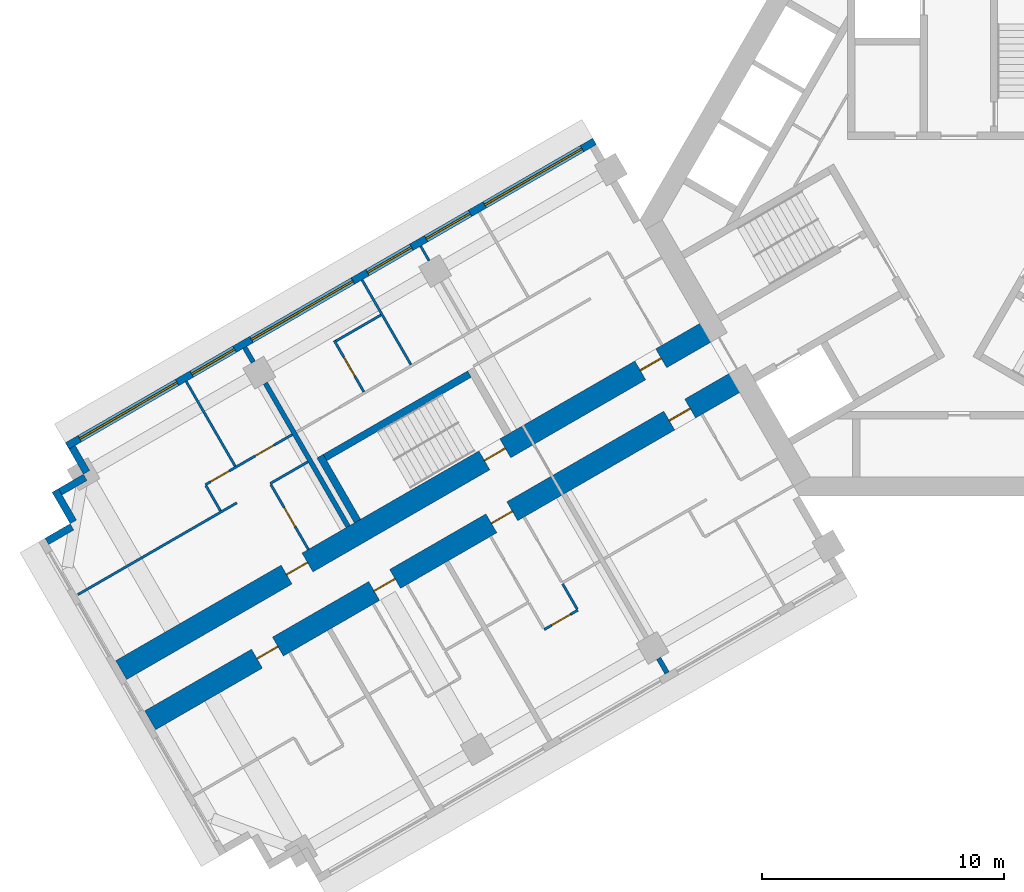
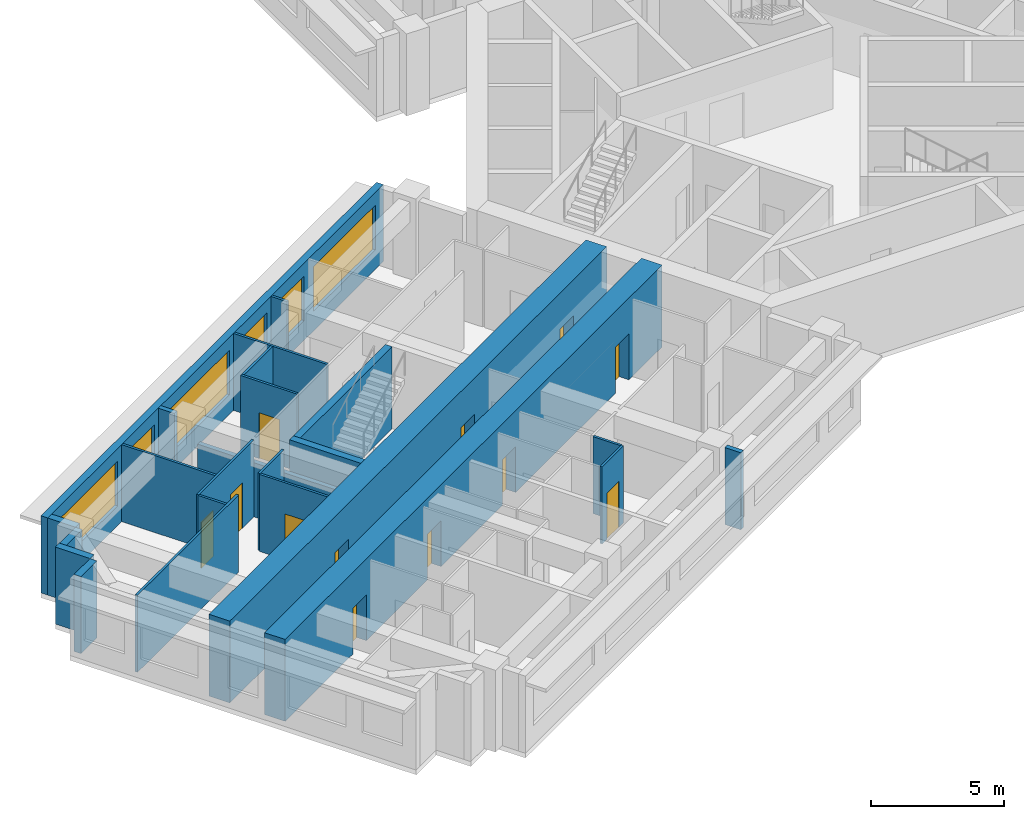
# One storey, part 3 of 13: 24 walls, 12 doors, 6 windows, 18 openings.
"""IFC4 building model written with IfcOpenShell, lengths in metres."""

from ifc_helpers import new_model, si_unit, direction, frame, frame_2d, origin, place, context, subcontext, project, spatial, rectangle, extrude, material, layer, layer_set, type_object, element, fill, save


model = new_model("IFC4")

# Units and contexts
model_context = context("Model", 3, precision=1e-05, world=origin(), true_north=direction((0.0, 1.0)))
body_context = subcontext(model_context, "Body", "Model", "MODEL_VIEW")
ifc_project = project(units=[si_unit("LENGTHUNIT", "METRE"), si_unit("AREAUNIT", "SQUARE_METRE"), si_unit("VOLUMEUNIT", "CUBIC_METRE"), si_unit("PLANEANGLEUNIT", "RADIAN"), si_unit("MASSUNIT", "GRAM", prefix="KILO")], contexts=[model_context])

# Site, building, storey
site_placement = place(None, origin())
site = spatial("IfcSite", under=ifc_project, at=site_placement, CompositionType="ELEMENT")
building_placement = place(site_placement, origin())
building = spatial("IfcBuilding", under=site, at=building_placement, Name="Impinga Residences", CompositionType="ELEMENT")
storey_placement = place(building_placement, frame((0.0, 0.0, 136.0)))
storey = spatial("IfcBuildingStorey", under=building, at=storey_placement, Name="L33", CompositionType="ELEMENT", Elevation=136.0)

# Wall, openings, doors
ifc_material_1 = material(Name="Concrete C60/75", Category="concrete")
ifc_layer_1 = layer(ifc_material_1, 0.89990234375)
ifc_layer_set_1 = layer_set([ifc_layer_1], Name="Concrete C60/75")
wall_type_1 = type_object("IfcWallType", Name="BW2 corridor buttress wall, L24 to L44 900", PredefinedType="SHEAR", material=ifc_layer_set_1)
wall_1_placement = place(storey_placement, frame((-8.95361328125, -6.554931640625, 0.0), z_axis=(0.0, 0.0, 1.0), x_axis=(-0.866023392092, -0.500003484338, 0.0)))
wall_1 = element("IfcWall", 1, at=wall_1_placement, inside=storey, type_object=wall_type_1, Name="Corridor wall BW2 WC L33", PredefinedType="SHEAR", context=body_context, shape_type="SweptSolid", body=[
    extrude(rectangle(XDim=28.300048828125, YDim=0.89990234375, at=frame_2d((14.14990234375, 0.0))), origin(), (0.0, 0.0, 1.0), 3.75),
])
opening_1_placement = place(wall_1_placement, frame((2.5, 0.0, 0.0)))
opening_1 = element("IfcOpeningElement", 2, at=opening_1_placement, cuts=wall_1, Name="Opening D1", PredefinedType="OPENING", context=body_context, shape_type="SweptSolid", body=[
    extrude(rectangle(XDim=1.0, YDim=2.10009765625, at=frame_2d((0.5, 1.050048828125))), frame((0.0, 0.4599609375, 0.0), z_axis=(0.0, -1.0, 0.0), x_axis=(1.0, 0.0, 0.0)), (0.0, 0.0, 1.0), 0.919921875),
])
opening_2_placement = place(wall_1_placement, frame((11.0, 0.0, 0.0)))
opening_2 = element("IfcOpeningElement", 3, at=opening_2_placement, cuts=wall_1, Name="Opening D1", PredefinedType="OPENING", context=body_context, shape_type="SweptSolid", body=[
    extrude(rectangle(XDim=1.0, YDim=2.10009765625, at=frame_2d((0.5, 1.050048828125))), frame((0.0, 0.4599609375, 0.0), z_axis=(0.0, -1.0, 0.0), x_axis=(1.0, 0.0, 0.0)), (0.0, 0.0, 1.0), 0.919921875),
])
opening_3_placement = place(wall_1_placement, frame((16.60009765625, 0.0, 0.0)))
opening_3 = element("IfcOpeningElement", 4, at=opening_3_placement, cuts=wall_1, Name="Opening D1", PredefinedType="OPENING", context=body_context, shape_type="SweptSolid", body=[
    extrude(rectangle(XDim=1.0, YDim=2.10009765625, at=frame_2d((0.5, 1.050048828125))), frame((0.0, 0.4599609375, 0.0), z_axis=(0.0, -1.0, 0.0), x_axis=(1.0, 0.0, 0.0)), (0.0, 0.0, 1.0), 0.919921875),
])
opening_4_placement = place(wall_1_placement, frame((22.199951171875, 0.0, 0.0)))
opening_4 = element("IfcOpeningElement", 5, at=opening_4_placement, cuts=wall_1, Name="Opening D1", PredefinedType="OPENING", context=body_context, shape_type="SweptSolid", body=[
    extrude(rectangle(XDim=1.0, YDim=2.10009765625, at=frame_2d((0.5, 1.050048828125))), frame((0.0, 0.4599609375, 0.0), z_axis=(0.0, -1.0, 0.0), x_axis=(1.0, 0.0, 0.0)), (0.0, 0.0, 1.0), 0.919921875),
])
ifc_material_2 = material(Name="Timber door set", Category="wood")
door_type_1 = type_object("IfcDoorType", Name="D1 apartment entrance door 1000x2100", OperationType="SINGLE_SWING_LEFT", PredefinedType="DOOR", material=ifc_material_2)
door_1_placement = place(opening_1_placement, origin())
door_1 = element("IfcDoor", 6, at=door_1_placement, inside=storey, type_object=door_type_1, Name="Apartment L33-WA1 entrance", OperationType="SINGLE_SWING_LEFT", OverallHeight=2.10009765625, OverallWidth=1.0, PredefinedType="DOOR", context=body_context, shape_type="SweptSolid", body=[
    extrude(rectangle(XDim=1.0, YDim=2.10009765625, at=frame_2d((0.5, 1.050048828125))), frame((0.0, 0.02490234375, 0.0), z_axis=(0.0, -1.0, 0.0), x_axis=(1.0, 0.0, 0.0)), (0.0, 0.0, 1.0), 0.050048828125),
])
fill(opening_1, door_1)
door_2_placement = place(opening_2_placement, origin())
door_2 = element("IfcDoor", 7, at=door_2_placement, inside=storey, type_object=door_type_1, Name="Apartment L33-WA2 entrance", OperationType="SINGLE_SWING_LEFT", OverallHeight=2.10009765625, OverallWidth=1.0, PredefinedType="DOOR", context=body_context, shape_type="SweptSolid", body=[
    extrude(rectangle(XDim=1.0, YDim=2.10009765625, at=frame_2d((0.5, 1.050048828125))), frame((0.0, 0.02490234375, 0.0), z_axis=(0.0, -1.0, 0.0), x_axis=(1.0, 0.0, 0.0)), (0.0, 0.0, 1.0), 0.050048828125),
])
fill(opening_2, door_2)
door_3_placement = place(opening_3_placement, origin())
door_3 = element("IfcDoor", 8, at=door_3_placement, inside=storey, type_object=door_type_1, Name="Apartment L33-WA3 entrance", OperationType="SINGLE_SWING_RIGHT", OverallHeight=2.10009765625, OverallWidth=1.0, PredefinedType="DOOR", context=body_context, shape_type="SweptSolid", body=[
    extrude(rectangle(XDim=1.0, YDim=2.10009765625, at=frame_2d((0.5, 1.050048828125))), frame((0.0, 0.02490234375, 0.0), z_axis=(0.0, -1.0, 0.0), x_axis=(1.0, 0.0, 0.0)), (0.0, 0.0, 1.0), 0.050048828125),
])
fill(opening_3, door_3)
door_4_placement = place(opening_4_placement, origin())
door_4 = element("IfcDoor", 9, at=door_4_placement, inside=storey, type_object=door_type_1, Name="Apartment L33-WA4 entrance", OperationType="SINGLE_SWING_RIGHT", OverallHeight=2.10009765625, OverallWidth=1.0, PredefinedType="DOOR", context=body_context, shape_type="SweptSolid", body=[
    extrude(rectangle(XDim=1.0, YDim=2.10009765625, at=frame_2d((0.5, 1.050048828125))), frame((0.0, 0.02490234375, 0.0), z_axis=(0.0, -1.0, 0.0), x_axis=(1.0, 0.0, 0.0)), (0.0, 0.0, 1.0), 0.050048828125),
])
fill(opening_4, door_4)

wall_2_placement = place(storey_placement, frame((-10.153564453125, -4.4765625, 0.0), z_axis=(0.0, 0.0, 1.0), x_axis=(-0.866027127636, -0.49999701419, 0.0)))
wall_2 = element("IfcWall", 10, at=wall_2_placement, inside=storey, type_object=wall_type_1, Name="Corridor wall BW2 WD L33", PredefinedType="SHEAR", context=body_context, shape_type="SweptSolid", body=[
    extrude(rectangle(XDim=28.300048828125, YDim=0.89990234375, at=frame_2d((14.14990234375, 0.0))), origin(), (0.0, 0.0, 1.0), 3.75),
])
opening_5_placement = place(wall_2_placement, frame((9.949951171875, 0.0, 0.0)))
opening_5 = element("IfcOpeningElement", 11, at=opening_5_placement, cuts=wall_2, Name="Opening D5", PredefinedType="OPENING", context=body_context, shape_type="SweptSolid", body=[
    extrude(rectangle(XDim=1.0, YDim=2.10009765625, at=frame_2d((0.5, 1.050048828125))), frame((0.0, 0.4599609375, 0.0), z_axis=(0.0, -1.0, 0.0), x_axis=(1.0, 0.0, 0.0)), (0.0, 0.0, 1.0), 0.919921875),
])
opening_6_placement = place(wall_2_placement, frame((2.5, 0.0, 0.0)))
opening_6 = element("IfcOpeningElement", 12, at=opening_6_placement, cuts=wall_2, Name="Opening D1", PredefinedType="OPENING", context=body_context, shape_type="SweptSolid", body=[
    extrude(rectangle(XDim=1.0, YDim=2.10009765625, at=frame_2d((0.5, 1.050048828125))), frame((0.0, 0.4599609375, 0.0), z_axis=(0.0, -1.0, 0.0), x_axis=(1.0, 0.0, 0.0)), (0.0, 0.0, 1.0), 0.919921875),
])
opening_7_placement = place(wall_2_placement, frame((19.39990234375, 0.0, 0.0)))
opening_7 = element("IfcOpeningElement", 13, at=opening_7_placement, cuts=wall_2, Name="Opening D1", PredefinedType="OPENING", context=body_context, shape_type="SweptSolid", body=[
    extrude(rectangle(XDim=1.0, YDim=2.10009765625, at=frame_2d((0.5, 1.050048828125))), frame((0.0, 0.4599609375, 0.0), z_axis=(0.0, -1.0, 0.0), x_axis=(1.0, 0.0, 0.0)), (0.0, 0.0, 1.0), 0.919921875),
])
door_5_placement = place(opening_6_placement, origin())
door_5 = element("IfcDoor", 14, at=door_5_placement, inside=storey, type_object=door_type_1, Name="Apartment L33-WF1 entrance", OperationType="SINGLE_SWING_LEFT", OverallHeight=2.10009765625, OverallWidth=1.0, PredefinedType="DOOR", context=body_context, shape_type="SweptSolid", body=[
    extrude(rectangle(XDim=1.0, YDim=2.10009765625, at=frame_2d((0.5, 1.050048828125))), frame((0.0, 0.02490234375, 0.0), z_axis=(0.0, -1.0, 0.0), x_axis=(1.0, 0.0, 0.0)), (0.0, 0.0, 1.0), 0.050048828125),
])
fill(opening_6, door_5)
door_6_placement = place(opening_7_placement, origin())
door_6 = element("IfcDoor", 15, at=door_6_placement, inside=storey, type_object=door_type_1, Name="Apartment L33-WF2 entrance", OperationType="SINGLE_SWING_RIGHT", OverallHeight=2.10009765625, OverallWidth=1.0, PredefinedType="DOOR", context=body_context, shape_type="SweptSolid", body=[
    extrude(rectangle(XDim=1.0, YDim=2.10009765625, at=frame_2d((0.5, 1.050048828125))), frame((0.0, 0.02490234375, 0.0), z_axis=(0.0, -1.0, 0.0), x_axis=(1.0, 0.0, 0.0)), (0.0, 0.0, 1.0), 0.050048828125),
])
fill(opening_7, door_6)
door_type_2 = type_object("IfcDoorType", Name="D5 stair door 1000x2100", OperationType="SINGLE_SWING_LEFT", PredefinedType="DOOR", material=ifc_material_2)
door_7_placement = place(opening_5_placement, origin())
door_7 = element("IfcDoor", 16, at=door_7_placement, inside=storey, type_object=door_type_2, Name="Wing stair door W", OperationType="SINGLE_SWING_LEFT", OverallHeight=2.10009765625, OverallWidth=1.0, PredefinedType="DOOR", context=body_context, shape_type="SweptSolid", body=[
    extrude(rectangle(XDim=1.0, YDim=2.10009765625, at=frame_2d((0.5, 1.050048828125))), frame((0.0, 0.02490234375, 0.0), z_axis=(0.0, -1.0, 0.0), x_axis=(1.0, 0.0, 0.0)), (0.0, 0.0, 1.0), 0.050048828125),
])
fill(opening_5, door_7)

# Walls
ifc_material_3 = material(Name="Terracotta rainscreen on blockwork", Category="masonry")
ifc_layer_2 = layer(ifc_material_3, 0.300048828125)
ifc_layer_set_2 = layer_set([ifc_layer_2], Name="EW1 external wall, terracotta rainscreen on blockwork 300")
wall_type_2 = type_object("IfcWallType", Name="EW1 external wall, terracotta rainscreen on blockwork 300", PredefinedType="SOLIDWALL", material=ifc_layer_set_2)
wall_3_placement = place(storey_placement, frame((-37.737060546875, -13.300537109375, 0.0), z_axis=(0.0, 0.0, 1.0), x_axis=(0.865971243484, 0.500093796661, 0.0)))
element("IfcWall", 17, at=wall_3_placement, inside=storey, type_object=wall_type_2, Name="External wall EW1 L33", PredefinedType="SOLIDWALL", context=body_context, shape_type="SweptSolid", body=[
    extrude(rectangle(XDim=1.195068359375, YDim=0.300048828125, at=frame_2d((0.59765625, 0.0))), origin(), (0.0, 0.0, 1.0), 3.530029296875),
])
wall_4_placement = place(storey_placement, frame((-36.64306640625, -12.49560546875, 0.0), z_axis=(0.0, 0.0, 1.0), x_axis=(-0.499990139034, 0.866031096941, 0.0)))
element("IfcWall", 18, at=wall_4_placement, inside=storey, type_object=wall_type_2, Name="External wall EW1 L33", PredefinedType="SOLIDWALL", context=body_context, shape_type="SweptSolid", body=[
    extrude(rectangle(XDim=1.5, YDim=0.300048828125, at=frame_2d((0.75, 0.0))), origin(), (0.0, 0.0, 1.0), 3.530029296875),
])
wall_5_placement = place(storey_placement, frame((-37.18798828125, -11.25146484375, 0.0), z_axis=(0.0, 0.0, 1.0), x_axis=(0.866059708757, 0.499940577336, 0.0)))
element("IfcWall", 19, at=wall_5_placement, inside=storey, type_object=wall_type_2, Name="External wall EW1 L33", PredefinedType="SOLIDWALL", context=body_context, shape_type="SweptSolid", body=[
    extrude(rectangle(XDim=1.195068359375, YDim=0.300048828125, at=frame_2d((0.59765625, 0.0))), origin(), (0.0, 0.0, 1.0), 3.530029296875),
])
wall_6_placement = place(storey_placement, frame((-36.093994140625, -10.446533203125, 0.0), z_axis=(0.0, 0.0, 1.0), x_axis=(-0.499880961361, 0.866094119867, 0.0)))
element("IfcWall", 20, at=wall_6_placement, inside=storey, type_object=wall_type_2, Name="External wall EW1 L33", PredefinedType="SOLIDWALL", context=body_context, shape_type="SweptSolid", body=[
    extrude(rectangle(XDim=1.199951171875, YDim=0.300048828125, at=frame_2d((0.60009765625, 0.0))), origin(), (0.0, 0.0, 1.0), 3.530029296875),
])

# Wall, openings, windows
wall_7_placement = place(storey_placement, frame((-36.89892578125, -9.352294921875, 0.0), z_axis=(0.0, 0.0, 1.0), x_axis=(0.86602925447, 0.499993330357, 0.0)))
wall_7 = element("IfcWall", 21, at=wall_7_placement, inside=storey, type_object=wall_type_2, Name="External wall EW1 L33", PredefinedType="SOLIDWALL", context=body_context, shape_type="SweptSolid", body=[
    extrude(rectangle(XDim=25.199951171875, YDim=0.300048828125, at=frame_2d((12.60009765625, 0.0))), origin(), (0.0, 0.0, 1.0), 3.530029296875),
])
opening_8_placement = place(wall_7_placement, frame((0.60009765625, 0.0, 0.89990234375)))
opening_8 = element("IfcOpeningElement", 22, at=opening_8_placement, cuts=wall_7, Name="Opening W10", PredefinedType="OPENING", context=body_context, shape_type="SweptSolid", body=[
    extrude(rectangle(XDim=4.64990234375, YDim=2.050048828125, at=frame_2d((2.324951171875, 1.02490234375))), frame((0.0, 0.159912109375, 0.0), z_axis=(0.0, -1.0, 0.0), x_axis=(1.0, 0.0, 0.0)), (0.0, 0.0, 1.0), 0.320068359375),
])
opening_9_placement = place(wall_7_placement, frame((5.949951171875, 0.0, 0.89990234375)))
opening_9 = element("IfcOpeningElement", 23, at=opening_9_placement, cuts=wall_7, Name="Opening W14", PredefinedType="OPENING", context=body_context, shape_type="SweptSolid", body=[
    extrude(rectangle(XDim=2.050048828125, YDim=2.050048828125, at=frame_2d((1.02490234375, 1.02490234375))), frame((0.0, 0.159912109375, 0.0), z_axis=(0.0, -1.0, 0.0), x_axis=(1.0, 0.0, 0.0)), (0.0, 0.0, 1.0), 0.320068359375),
])
opening_10_placement = place(wall_7_placement, frame((8.800048828125, 0.0, 0.89990234375)))
opening_10 = element("IfcOpeningElement", 24, at=opening_10_placement, cuts=wall_7, Name="Opening W6", PredefinedType="OPENING", context=body_context, shape_type="SweptSolid", body=[
    extrude(rectangle(XDim=4.85009765625, YDim=2.050048828125, at=frame_2d((2.425048828125, 1.02490234375))), frame((0.0, 0.159912109375, 0.0), z_axis=(0.0, -1.0, 0.0), x_axis=(1.0, 0.0, 0.0)), (0.0, 0.0, 1.0), 0.320068359375),
])
opening_11_placement = place(wall_7_placement, frame((14.35009765625, 0.0, 0.89990234375)))
opening_11 = element("IfcOpeningElement", 25, at=opening_11_placement, cuts=wall_7, Name="Opening W9", PredefinedType="OPENING", context=body_context, shape_type="SweptSolid", body=[
    extrude(rectangle(XDim=2.10009765625, YDim=2.050048828125, at=frame_2d((1.050048828125, 1.02490234375))), frame((0.0, 0.159912109375, 0.0), z_axis=(0.0, -1.0, 0.0), x_axis=(1.0, 0.0, 0.0)), (0.0, 0.0, 1.0), 0.320068359375),
])
opening_12_placement = place(wall_7_placement, frame((17.14990234375, 0.0, 0.89990234375)))
opening_12 = element("IfcOpeningElement", 26, at=opening_12_placement, cuts=wall_7, Name="Opening W9", PredefinedType="OPENING", context=body_context, shape_type="SweptSolid", body=[
    extrude(rectangle(XDim=2.10009765625, YDim=2.050048828125, at=frame_2d((1.050048828125, 1.02490234375))), frame((0.0, 0.159912109375, 0.0), z_axis=(0.0, -1.0, 0.0), x_axis=(1.0, 0.0, 0.0)), (0.0, 0.0, 1.0), 0.320068359375),
])
opening_13_placement = place(wall_7_placement, frame((19.949951171875, 0.0, 0.89990234375)))
opening_13 = element("IfcOpeningElement", 27, at=opening_13_placement, cuts=wall_7, Name="Opening W10", PredefinedType="OPENING", context=body_context, shape_type="SweptSolid", body=[
    extrude(rectangle(XDim=4.64990234375, YDim=2.050048828125, at=frame_2d((2.324951171875, 1.02490234375))), frame((0.0, 0.159912109375, 0.0), z_axis=(0.0, -1.0, 0.0), x_axis=(1.0, 0.0, 0.0)), (0.0, 0.0, 1.0), 0.320068359375),
])
ifc_material_4 = material(Name="Aluminium window, clear double glazing", Category="aluminium")
window_type_1 = type_object("IfcWindowType", Name="W10 ribbon window 4650x2050", PartitioningType="SINGLE_PANEL", PredefinedType="WINDOW", material=ifc_material_4)
window_1_placement = place(opening_8_placement, origin())
window_1 = element("IfcWindow", 28, at=window_1_placement, inside=storey, type_object=window_type_1, Name="Window L33", OverallHeight=2.050048828125, OverallWidth=4.64990234375, PartitioningType="SINGLE_PANEL", PredefinedType="WINDOW", context=body_context, shape_type="SweptSolid", body=[
    extrude(rectangle(XDim=4.64990234375, YDim=2.050048828125, at=frame_2d((2.324951171875, 1.02490234375))), frame((0.0, 0.030029296875, 0.0), z_axis=(0.0, -1.0, 0.0), x_axis=(1.0, 0.0, 0.0)), (0.0, 0.0, 1.0), 0.06005859375),
])
fill(opening_8, window_1)
window_2_placement = place(opening_13_placement, origin())
window_2 = element("IfcWindow", 29, at=window_2_placement, inside=storey, type_object=window_type_1, Name="Window L33", OverallHeight=2.050048828125, OverallWidth=4.64990234375, PartitioningType="SINGLE_PANEL", PredefinedType="WINDOW", context=body_context, shape_type="SweptSolid", body=[
    extrude(rectangle(XDim=4.64990234375, YDim=2.050048828125, at=frame_2d((2.324951171875, 1.02490234375))), frame((0.0, 0.030029296875, 0.0), z_axis=(0.0, -1.0, 0.0), x_axis=(1.0, 0.0, 0.0)), (0.0, 0.0, 1.0), 0.06005859375),
])
fill(opening_13, window_2)
window_type_2 = type_object("IfcWindowType", Name="W14 ribbon window 2050x2050", PartitioningType="SINGLE_PANEL", PredefinedType="WINDOW", material=ifc_material_4)
window_3_placement = place(opening_9_placement, origin())
window_3 = element("IfcWindow", 30, at=window_3_placement, inside=storey, type_object=window_type_2, Name="Window L33", OverallHeight=2.050048828125, OverallWidth=2.050048828125, PartitioningType="SINGLE_PANEL", PredefinedType="WINDOW", context=body_context, shape_type="SweptSolid", body=[
    extrude(rectangle(XDim=2.050048828125, YDim=2.050048828125, at=frame_2d((1.02490234375, 1.02490234375))), frame((0.0, 0.030029296875, 0.0), z_axis=(0.0, -1.0, 0.0), x_axis=(1.0, 0.0, 0.0)), (0.0, 0.0, 1.0), 0.06005859375),
])
fill(opening_9, window_3)
window_type_3 = type_object("IfcWindowType", Name="W6 ribbon window 4850x2050", PartitioningType="SINGLE_PANEL", PredefinedType="WINDOW", material=ifc_material_4)
window_4_placement = place(opening_10_placement, origin())
window_4 = element("IfcWindow", 31, at=window_4_placement, inside=storey, type_object=window_type_3, Name="Window L33", OverallHeight=2.050048828125, OverallWidth=4.85009765625, PartitioningType="SINGLE_PANEL", PredefinedType="WINDOW", context=body_context, shape_type="SweptSolid", body=[
    extrude(rectangle(XDim=4.85009765625, YDim=2.050048828125, at=frame_2d((2.425048828125, 1.02490234375))), frame((0.0, 0.030029296875, 0.0), z_axis=(0.0, -1.0, 0.0), x_axis=(1.0, 0.0, 0.0)), (0.0, 0.0, 1.0), 0.06005859375),
])
fill(opening_10, window_4)
window_type_4 = type_object("IfcWindowType", Name="W9 ribbon window 2100x2050", PartitioningType="SINGLE_PANEL", PredefinedType="WINDOW", material=ifc_material_4)
window_5_placement = place(opening_11_placement, origin())
window_5 = element("IfcWindow", 32, at=window_5_placement, inside=storey, type_object=window_type_4, Name="Window L33", OverallHeight=2.050048828125, OverallWidth=2.10009765625, PartitioningType="SINGLE_PANEL", PredefinedType="WINDOW", context=body_context, shape_type="SweptSolid", body=[
    extrude(rectangle(XDim=2.10009765625, YDim=2.050048828125, at=frame_2d((1.050048828125, 1.02490234375))), frame((0.0, 0.030029296875, 0.0), z_axis=(0.0, -1.0, 0.0), x_axis=(1.0, 0.0, 0.0)), (0.0, 0.0, 1.0), 0.06005859375),
])
fill(opening_11, window_5)
window_6_placement = place(opening_12_placement, origin())
window_6 = element("IfcWindow", 33, at=window_6_placement, inside=storey, type_object=window_type_4, Name="Window L33", OverallHeight=2.050048828125, OverallWidth=2.10009765625, PartitioningType="SINGLE_PANEL", PredefinedType="WINDOW", context=body_context, shape_type="SweptSolid", body=[
    extrude(rectangle(XDim=2.10009765625, YDim=2.050048828125, at=frame_2d((1.050048828125, 1.02490234375))), frame((0.0, 0.030029296875, 0.0), z_axis=(0.0, -1.0, 0.0), x_axis=(1.0, 0.0, 0.0)), (0.0, 0.0, 1.0), 0.06005859375),
])
fill(opening_12, window_6)

# Wall, opening, door
ifc_material_5 = material(Name="Gypsum board on steel studs", Category="steel")
ifc_layer_3 = layer(ifc_material_5, 0.10009765625)
ifc_layer_set_3 = layer_set([ifc_layer_3], Name="Gypsum board on steel studs")
wall_type_3 = type_object("IfcWallType", Name="IP1 partition 100", PredefinedType="PARTITIONING", material=ifc_layer_set_3)
wall_8_placement = place(storey_placement, frame((-15.77001953125, -16.1484375, 0.0), z_axis=(0.0, 0.0, 1.0), x_axis=(-0.866028054938, -0.499995408039, 0.0)))
wall_8 = element("IfcWall", 34, at=wall_8_placement, inside=storey, type_object=wall_type_3, Name="Partition L33-WA2:STRIP", PredefinedType="PARTITIONING", context=body_context, shape_type="SweptSolid", body=[
    extrude(rectangle(XDim=1.60009765625, YDim=0.10009765625, at=frame_2d((0.800048828125, 0.0))), origin(), (0.0, 0.0, 1.0), 3.530029296875),
])
opening_14_placement = place(wall_8_placement, frame((0.35009765625, 0.0, 0.0)))
opening_14 = element("IfcOpeningElement", 35, at=opening_14_placement, cuts=wall_8, Name="Opening D2", PredefinedType="OPENING", context=body_context, shape_type="SweptSolid", body=[
    extrude(rectangle(XDim=0.89990234375, YDim=2.10009765625, at=frame_2d((0.449951171875, 1.050048828125))), frame((0.0, 0.06005859375, 0.0), z_axis=(0.0, -1.0, 0.0), x_axis=(1.0, 0.0, 0.0)), (0.0, 0.0, 1.0), 0.1201171875),
])
door_type_3 = type_object("IfcDoorType", Name="D2 internal door 900x2100", OperationType="SINGLE_SWING_LEFT", PredefinedType="DOOR", material=ifc_material_2)
door_8_placement = place(opening_14_placement, origin())
door_8 = element("IfcDoor", 36, at=door_8_placement, inside=storey, type_object=door_type_3, Name="Apartment L33-WA2 room door", OperationType="SINGLE_SWING_LEFT", OverallHeight=2.10009765625, OverallWidth=0.89990234375, PredefinedType="DOOR", context=body_context, shape_type="SweptSolid", body=[
    extrude(rectangle(XDim=0.89990234375, YDim=2.10009765625, at=frame_2d((0.449951171875, 1.050048828125))), frame((0.0, 0.02490234375, 0.0), z_axis=(0.0, -1.0, 0.0), x_axis=(1.0, 0.0, 0.0)), (0.0, 0.0, 1.0), 0.050048828125),
])
fill(opening_14, door_8)

# Walls
wall_9_placement = place(storey_placement, frame((-16.39501953125, -15.06591796875, 0.0), z_axis=(0.0, 0.0, 1.0), x_axis=(0.499880961361, -0.866094119867, 0.0)))
element("IfcWall", 37, at=wall_9_placement, inside=storey, type_object=wall_type_3, Name="Partition L33-WA2:SE0", PredefinedType="PARTITIONING", context=body_context, shape_type="SweptSolid", body=[
    extrude(rectangle(XDim=1.199951171875, YDim=0.10009765625, at=frame_2d((0.60009765625, 0.0))), origin(), (0.0, 0.0, 1.0), 3.530029296875),
])
wall_10_placement = place(storey_placement, frame((-21.924560546875, -1.6884765625, 0.0), z_axis=(0.0, 0.0, 1.0), x_axis=(-0.500114896893, 0.865959057869, 0.0)))
element("IfcWall", 38, at=wall_10_placement, inside=storey, type_object=wall_type_3, Name="Partition L33-WF1:OB2b", PredefinedType="PARTITIONING", context=body_context, shape_type="SweptSolid", body=[
    extrude(rectangle(XDim=0.699951171875, YDim=0.10009765625, at=frame_2d((0.35009765625, 0.0))), origin(), (0.0, 0.0, 1.0), 3.530029296875),
])
wall_11_placement = place(storey_placement, frame((-22.674560546875, -5.98974609375, 0.0), z_axis=(0.0, 0.0, 1.0), x_axis=(-0.499990325971, 0.866030989016, 0.0)))
element("IfcWall", 39, at=wall_11_placement, inside=storey, type_object=wall_type_3, Name="Partition L33-WF1:OB3", PredefinedType="PARTITIONING", context=body_context, shape_type="SweptSolid", body=[
    extrude(rectangle(XDim=4.0498046875, YDim=0.10009765625, at=frame_2d((2.02490234375, 0.0))), origin(), (0.0, 0.0, 1.0), 3.530029296875),
])

# Wall, opening, door
wall_12_placement = place(storey_placement, frame((-24.623046875, -7.11474609375, 0.0), z_axis=(0.0, 0.0, 1.0), x_axis=(-0.500018594424, 0.866014668023, 0.0)))
wall_12 = element("IfcWall", 40, at=wall_12_placement, inside=storey, type_object=wall_type_3, Name="Partition L33-WF1:EN1", PredefinedType="PARTITIONING", context=body_context, shape_type="SweptSolid", body=[
    extrude(rectangle(XDim=2.4501953125, YDim=0.10009765625, at=frame_2d((1.22509765625, 0.0))), origin(), (0.0, 0.0, 1.0), 3.530029296875),
])
opening_15_placement = place(wall_12_placement, frame((0.75, 0.0, 0.0)))
opening_15 = element("IfcOpeningElement", 41, at=opening_15_placement, cuts=wall_12, Name="Opening D2", PredefinedType="OPENING", context=body_context, shape_type="SweptSolid", body=[
    extrude(rectangle(XDim=0.89990234375, YDim=2.10009765625, at=frame_2d((0.449951171875, 1.050048828125))), frame((0.0, 0.06005859375, 0.0), z_axis=(0.0, -1.0, 0.0), x_axis=(1.0, 0.0, 0.0)), (0.0, 0.0, 1.0), 0.1201171875),
])
door_9_placement = place(opening_15_placement, origin())
door_9 = element("IfcDoor", 42, at=door_9_placement, inside=storey, type_object=door_type_3, Name="Apartment L33-WF1 en-suite door", OperationType="SINGLE_SWING_LEFT", OverallHeight=2.10009765625, OverallWidth=0.89990234375, PredefinedType="DOOR", context=body_context, shape_type="SweptSolid", body=[
    extrude(rectangle(XDim=0.89990234375, YDim=2.10009765625, at=frame_2d((0.449951171875, 1.050048828125))), frame((0.0, 0.02490234375, 0.0), z_axis=(0.0, -1.0, 0.0), x_axis=(1.0, 0.0, 0.0)), (0.0, 0.0, 1.0), 0.050048828125),
])
fill(opening_15, door_9)

# Walls
wall_13_placement = place(storey_placement, frame((-23.917724609375, -3.936279296875, 0.0), z_axis=(0.0, 0.0, 1.0), x_axis=(-0.866047553582, -0.499961633463, 0.0)))
element("IfcWall", 43, at=wall_13_placement, inside=storey, type_object=wall_type_3, Name="Partition L33-WF1:EN2", PredefinedType="PARTITIONING", context=body_context, shape_type="SweptSolid", body=[
    extrude(rectangle(XDim=2.150146484375, YDim=0.10009765625, at=frame_2d((1.0751953125, 0.0))), origin(), (0.0, 0.0, 1.0), 3.530029296875),
])
wall_14_placement = place(storey_placement, frame((-26.935791015625, -10.0087890625, 0.0), z_axis=(0.0, 0.0, 1.0), x_axis=(-0.865989075817, -0.500062916607, 0.0)))
element("IfcWall", 44, at=wall_14_placement, inside=storey, type_object=wall_type_3, Name="Partition L33-WF2:DIV0", PredefinedType="PARTITIONING", context=body_context, shape_type="SweptSolid", body=[
    extrude(rectangle(XDim=1.800048828125, YDim=0.10009765625, at=frame_2d((0.89990234375, 0.0))), origin(), (0.0, 0.0, 1.0), 3.530029296875),
])
wall_15_placement = place(storey_placement, frame((-29.88037109375, -11.708740234375, 0.0), z_axis=(0.0, 0.0, 1.0), x_axis=(-0.866022425744, -0.500005158081, 0.0)))
element("IfcWall", 45, at=wall_15_placement, inside=storey, type_object=wall_type_3, Name="Partition L33-WF2:DIV1", PredefinedType="PARTITIONING", context=body_context, shape_type="SweptSolid", body=[
    extrude(rectangle(XDim=7.60009765625, YDim=0.10009765625, at=frame_2d((3.800048828125, 0.0))), origin(), (0.0, 0.0, 1.0), 3.530029296875),
])

# Wall, openings, doors
wall_16_placement = place(storey_placement, frame((-27.5859375, -8.883056640625, 0.0), z_axis=(0.0, 0.0, 1.0), x_axis=(-0.86602981871, -0.499992353047, 0.0)))
wall_16 = element("IfcWall", 46, at=wall_16_placement, inside=storey, type_object=wall_type_3, Name="Partition L33-WF2:STRIP", PredefinedType="PARTITIONING", context=body_context, shape_type="SweptSolid", body=[
    extrude(rectangle(XDim=4.14990234375, YDim=0.10009765625, at=frame_2d((2.074951171875, 0.0))), origin(), (0.0, 0.0, 1.0), 3.530029296875),
])
opening_16_placement = place(wall_16_placement, frame((0.875, 0.0, 0.0)))
opening_16 = element("IfcOpeningElement", 47, at=opening_16_placement, cuts=wall_16, Name="Opening D2", PredefinedType="OPENING", context=body_context, shape_type="SweptSolid", body=[
    extrude(rectangle(XDim=0.89990234375, YDim=2.10009765625, at=frame_2d((0.449951171875, 1.050048828125))), frame((0.0, 0.06005859375, 0.0), z_axis=(0.0, -1.0, 0.0), x_axis=(1.0, 0.0, 0.0)), (0.0, 0.0, 1.0), 0.1201171875),
])
opening_17_placement = place(wall_16_placement, frame((3.0, 0.0, 0.0)))
opening_17 = element("IfcOpeningElement", 48, at=opening_17_placement, cuts=wall_16, Name="Opening D2", PredefinedType="OPENING", context=body_context, shape_type="SweptSolid", body=[
    extrude(rectangle(XDim=0.89990234375, YDim=2.10009765625, at=frame_2d((0.449951171875, 1.050048828125))), frame((0.0, 0.06005859375, 0.0), z_axis=(0.0, -1.0, 0.0), x_axis=(1.0, 0.0, 0.0)), (0.0, 0.0, 1.0), 0.1201171875),
])
door_10_placement = place(opening_16_placement, origin())
door_10 = element("IfcDoor", 49, at=door_10_placement, inside=storey, type_object=door_type_3, Name="Apartment L33-WF2 room door", OperationType="SINGLE_SWING_LEFT", OverallHeight=2.10009765625, OverallWidth=0.89990234375, PredefinedType="DOOR", context=body_context, shape_type="SweptSolid", body=[
    extrude(rectangle(XDim=0.89990234375, YDim=2.10009765625, at=frame_2d((0.449951171875, 1.050048828125))), frame((0.0, 0.02490234375, 0.0), z_axis=(0.0, -1.0, 0.0), x_axis=(1.0, 0.0, 0.0)), (0.0, 0.0, 1.0), 0.050048828125),
])
fill(opening_16, door_10)
door_11_placement = place(opening_17_placement, origin())
door_11 = element("IfcDoor", 50, at=door_11_placement, inside=storey, type_object=door_type_3, Name="Apartment L33-WF2 room door", OperationType="SINGLE_SWING_RIGHT", OverallHeight=2.10009765625, OverallWidth=0.89990234375, PredefinedType="DOOR", context=body_context, shape_type="SweptSolid", body=[
    extrude(rectangle(XDim=0.89990234375, YDim=2.10009765625, at=frame_2d((0.449951171875, 1.050048828125))), frame((0.0, 0.02490234375, 0.0), z_axis=(0.0, -1.0, 0.0), x_axis=(1.0, 0.0, 0.0)), (0.0, 0.0, 1.0), 0.050048828125),
])
fill(opening_17, door_11)

# Wall
wall_17_placement = place(storey_placement, frame((-30.554931640625, -12.04052734375, 0.0), z_axis=(0.0, 0.0, 1.0), x_axis=(-0.499880961361, 0.866094119867, 0.0)))
element("IfcWall", 51, at=wall_17_placement, inside=storey, type_object=wall_type_3, Name="Partition L33-WF2:SE1", PredefinedType="PARTITIONING", context=body_context, shape_type="SweptSolid", body=[
    extrude(rectangle(XDim=1.199951171875, YDim=0.10009765625, at=frame_2d((0.60009765625, 0.0))), origin(), (0.0, 0.0, 1.0), 3.530029296875),
])

# Wall, opening, door
wall_18_placement = place(storey_placement, frame((-26.919677734375, -13.63671875, 0.0), z_axis=(0.0, 0.0, 1.0), x_axis=(-0.500026960575, 0.86600983753, 0.0)))
wall_18 = element("IfcWall", 52, at=wall_18_placement, inside=storey, type_object=wall_type_3, Name="Partition L33-WF2:IB1", PredefinedType="PARTITIONING", context=body_context, shape_type="SweptSolid", body=[
    extrude(rectangle(XDim=3.099853515625, YDim=0.10009765625, at=frame_2d((1.5498046875, 0.0))), origin(), (0.0, 0.0, 1.0), 3.530029296875),
])
opening_18_placement = place(wall_18_placement, frame((1.10009765625, 0.0, 0.0)))
opening_18 = element("IfcOpeningElement", 53, at=opening_18_placement, cuts=wall_18, Name="Opening D2", PredefinedType="OPENING", context=body_context, shape_type="SweptSolid", body=[
    extrude(rectangle(XDim=0.89990234375, YDim=2.10009765625, at=frame_2d((0.449951171875, 1.050048828125))), frame((0.0, 0.06005859375, 0.0), z_axis=(0.0, -1.0, 0.0), x_axis=(1.0, 0.0, 0.0)), (0.0, 0.0, 1.0), 0.1201171875),
])
door_12_placement = place(opening_18_placement, origin())
door_12 = element("IfcDoor", 54, at=door_12_placement, inside=storey, type_object=door_type_3, Name="Apartment L33-WF2 bathroom door", OperationType="SINGLE_SWING_LEFT", OverallHeight=2.10009765625, OverallWidth=0.89990234375, PredefinedType="DOOR", context=body_context, shape_type="SweptSolid", body=[
    extrude(rectangle(XDim=0.89990234375, YDim=2.10009765625, at=frame_2d((0.449951171875, 1.050048828125))), frame((0.0, 0.02490234375, 0.0), z_axis=(0.0, -1.0, 0.0), x_axis=(1.0, 0.0, 0.0)), (0.0, 0.0, 1.0), 0.050048828125),
])
fill(opening_18, door_12)

# Walls
wall_19_placement = place(storey_placement, frame((-29.94921875, -10.189697265625, 0.0), z_axis=(0.0, 0.0, 1.0), x_axis=(-0.499990325971, 0.866030989016, 0.0)))
element("IfcWall", 55, at=wall_19_placement, inside=storey, type_object=wall_type_3, Name="Partition L33-WF2:OB1", PredefinedType="PARTITIONING", context=body_context, shape_type="SweptSolid", body=[
    extrude(rectangle(XDim=4.0498046875, YDim=0.10009765625, at=frame_2d((2.02490234375, 0.0))), origin(), (0.0, 0.0, 1.0), 3.530029296875),
])
ifc_material_6 = material(Name="Concrete blockwork", Category="masonry")
ifc_layer_4 = layer(ifc_material_6, 0.199951171875)
ifc_layer_set_4 = layer_set([ifc_layer_4], Name="PW1 party wall between apartments 200")
wall_type_4 = type_object("IfcWallType", Name="PW1 party wall between apartments 200", PredefinedType="SOLIDWALL", material=ifc_layer_set_4)
wall_20_placement = place(storey_placement, frame((-12.424560546875, -18.14306640625, 0.0), z_axis=(0.0, 0.0, 1.0), x_axis=(0.499853302173, -0.866110083249, 0.0)))
element("IfcWall", 56, at=wall_20_placement, inside=storey, type_object=wall_type_4, Name="Party wall between apartments L33-WA1:PARTYb", PredefinedType="SOLIDWALL", context=body_context, shape_type="SweptSolid", body=[
    extrude(rectangle(XDim=0.699951171875, YDim=0.199951171875, at=frame_2d((0.35009765625, 0.0))), origin(), (0.0, 0.0, 1.0), 3.530029296875),
])
wall_21_placement = place(storey_placement, frame((-25.274169921875, -12.686767578125, 0.0), z_axis=(0.0, 0.0, 1.0), x_axis=(-0.500014519185, 0.866017020967, 0.0)))
element("IfcWall", 57, at=wall_21_placement, inside=storey, type_object=wall_type_4, Name="Party wall between apartments L33-WF1:PARTY", PredefinedType="SOLIDWALL", context=body_context, shape_type="SweptSolid", body=[
    extrude(rectangle(XDim=6.849853515625, YDim=0.199951171875, at=frame_2d((3.4248046875, 0.0))), origin(), (0.0, 0.0, 1.0), 2.47998046875),
])
wall_22_placement = place(storey_placement, frame((-29.19921875, -5.888427734375, 0.0), z_axis=(0.0, 0.0, 1.0), x_axis=(-0.500114896893, 0.865959057869, 0.0)))
element("IfcWall", 58, at=wall_22_placement, inside=storey, type_object=wall_type_4, Name="Party wall between apartments L33-WF1:PARTYb", PredefinedType="SOLIDWALL", context=body_context, shape_type="SweptSolid", body=[
    extrude(rectangle(XDim=0.699951171875, YDim=0.199951171875, at=frame_2d((0.35009765625, 0.0))), origin(), (0.0, 0.0, 1.0), 3.530029296875),
])
ifc_layer_5 = layer(ifc_material_1, 0.300048828125)
ifc_layer_set_5 = layer_set([ifc_layer_5], Name="Concrete C60/75")
wall_type_5 = type_object("IfcWallType", Name="SE1 wing stair enclosure wall 300", PredefinedType="SOLIDWALL", material=ifc_layer_set_5)
wall_23_placement = place(storey_placement, frame((-24.884521484375, -12.4619140625, 0.0), z_axis=(0.0, 0.0, 1.0), x_axis=(-0.49999285859, 0.86602952684, 0.0)))
element("IfcWall", 59, at=wall_23_placement, inside=storey, type_object=wall_type_5, Name="Stair enclosure wall SE1 W END1 L33", PredefinedType="SOLIDWALL", context=body_context, shape_type="SweptSolid", body=[
    extrude(rectangle(XDim=3.10009765625, YDim=0.300048828125, at=frame_2d((1.550048828125, 0.0))), origin(), (0.0, 0.0, 1.0), 3.75),
])
wall_24_placement = place(storey_placement, frame((-20.254150390625, -6.382080078125, 0.0), z_axis=(0.0, 0.0, 1.0), x_axis=(-0.866020008033, -0.500009345598, 0.0)))
element("IfcWall", 60, at=wall_24_placement, inside=storey, type_object=wall_type_5, Name="Stair enclosure wall SE1 W OUT L33", PredefinedType="SOLIDWALL", context=body_context, shape_type="SweptSolid", body=[
    extrude(rectangle(XDim=6.899658203125, YDim=0.300048828125, at=frame_2d((3.44970703125, 0.0))), origin(), (0.0, 0.0, 1.0), 3.75),
])

save(model, "model.ifc")
